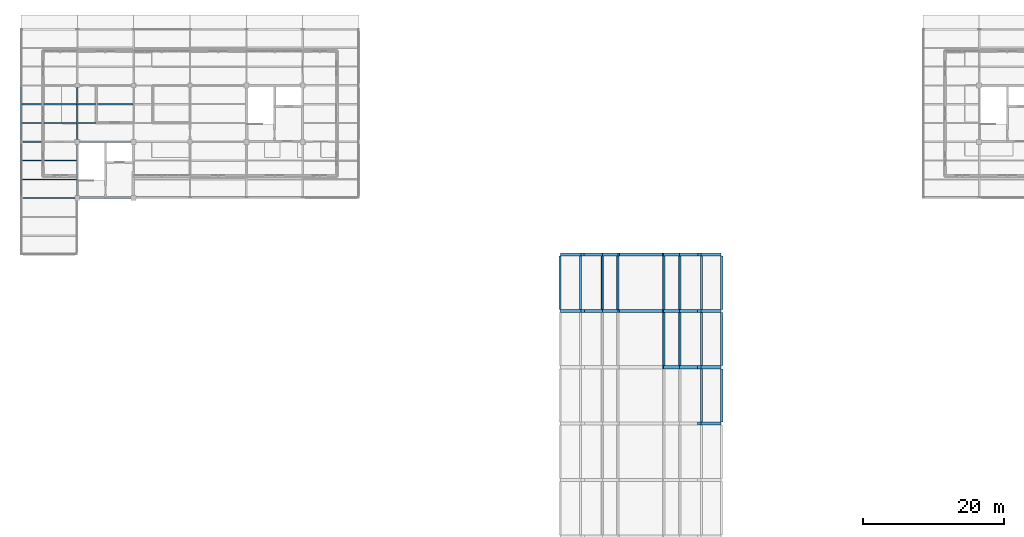
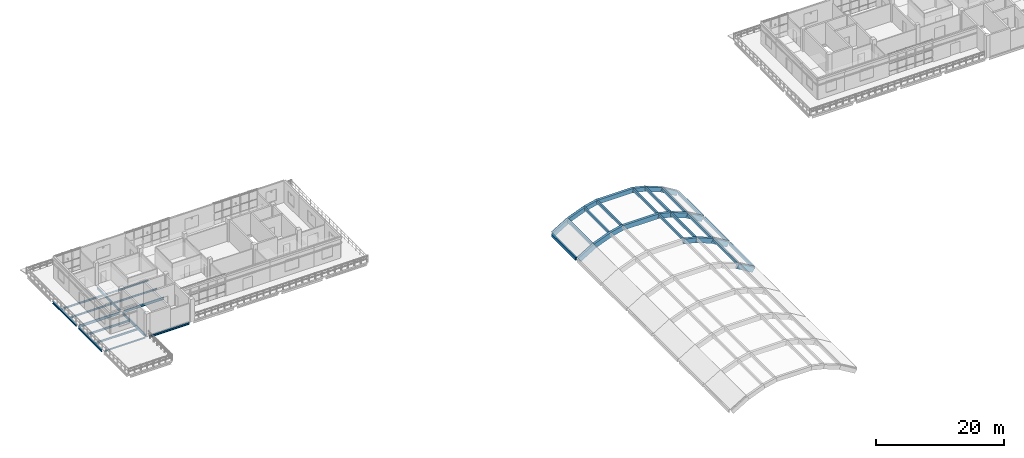
# One storey, part 2 of 24: 46 beams.
"""IFC4 building model written with IfcOpenShell, lengths in metres."""

from ifc_helpers import new_model, si_unit, derived_unit, direction, frame, origin, origin_2d, place, context, subcontext, project, spatial, rectangle, i_section, extrude, material, material_profile, profile_set, type_object, element, save


model = new_model("IFC4")

# Units and contexts
model_context = context("Model", 3, precision=1e-05, world=origin(), true_north=direction((0.0, 1.0)))
body_context = subcontext(model_context, "Body", "Model", "MODEL_VIEW")
ifc_project = project(units=[si_unit("LENGTHUNIT", "METRE"), si_unit("AREAUNIT", "SQUARE_METRE"), si_unit("VOLUMEUNIT", "CUBIC_METRE"), si_unit("PLANEANGLEUNIT", "RADIAN"), si_unit("MASSUNIT", "GRAM", prefix="KILO"), derived_unit("THERMALTRANSMITTANCEUNIT", [(si_unit("MASSUNIT", "GRAM", prefix="KILO"), 1), (si_unit("TIMEUNIT", "SECOND"), -3), (si_unit("THERMODYNAMICTEMPERATUREUNIT", "KELVIN"), -1)])], contexts=[model_context])

# Site, building, storey
site_placement = place(None, origin())
site = spatial("IfcSite", under=ifc_project, at=site_placement, CompositionType="ELEMENT")
building_placement = place(site_placement, origin())
building = spatial("IfcBuilding", under=site, at=building_placement, Name="Veyamyaing Civic Hall", CompositionType="ELEMENT")
storey_placement = place(building_placement, frame((0.0, 0.0, 25.739990234375)))
storey = spatial("IfcBuildingStorey", under=building, at=storey_placement, Name="L06", CompositionType="ELEMENT", Elevation=25.739990234375)

# Beams
ifc_material_1 = material(Name="Steel ASTM A992", Category="steel")
ifc_material_profile_1 = material_profile(ifc_material_1, i_section(OverallWidth=0.19189453125, OverallDepth=0.462890625, WebThickness=0.010498046875, FlangeThickness=0.017578125, FilletRadius=0.010009765625, at=origin_2d()), Name="W460X89")
ifc_profile_set_1 = profile_set([ifc_material_profile_1], Name="Steel ASTM A992")
beam_type_1 = type_object("IfcBeamType", Name="B-08", PredefinedType="BEAM", material=ifc_profile_set_1)
beam_1_placement = place(storey_placement, frame((0.300048828125, 96.0, -0.46142578125), z_axis=(1.0, 0.0, 0.0), x_axis=(0.0, 1.0, 0.0)))
element("IfcBeam", 1, at=beam_1_placement, inside=storey, type_object=beam_type_1, Name="Girder B-08 L06 Grid N 1-2", PredefinedType="BEAM", context=body_context, shape_type="SweptSolid", body=[
    extrude(i_section(OverallWidth=0.19189453125, OverallDepth=0.462890625, WebThickness=0.010498046875, FlangeThickness=0.017578125, FilletRadius=0.010009765625, at=origin_2d()), origin(), (0.0, 0.0, 1.0), 7.349853515625),
])
beam_2_placement = place(storey_placement, frame((8.0, 88.35009765625, -0.46142578125), z_axis=(0.0, 1.0, 0.0), x_axis=(-1.0, 0.0, 0.0)))
element("IfcBeam", 2, at=beam_2_placement, inside=storey, type_object=beam_type_1, Name="Girder B-08 L06 Grid 2 M-N", PredefinedType="BEAM", context=body_context, shape_type="SweptSolid", body=[
    extrude(i_section(OverallWidth=0.19189453125, OverallDepth=0.462890625, WebThickness=0.010498046875, FlangeThickness=0.017578125, FilletRadius=0.010009765625, at=origin_2d()), origin(), (0.0, 0.0, 1.0), 7.2998046875),
])
ifc_material_profile_2 = material_profile(ifc_material_1, i_section(OverallWidth=0.18994140625, OverallDepth=0.45703125, WebThickness=0.009033203125, FlangeThickness=0.014404296875, FilletRadius=0.010009765625, at=origin_2d()), Name="W460X74")
ifc_profile_set_2 = profile_set([ifc_material_profile_2], Name="Steel ASTM A992")
beam_type_2 = type_object("IfcBeamType", Name="B-09", PredefinedType="BEAM", material=ifc_profile_set_2)
beam_3_placement = place(storey_placement, frame((8.35009765625, 96.0, -0.453369140625), z_axis=(1.0, 0.0, 0.0), x_axis=(0.0, 1.0, 0.0)))
element("IfcBeam", 3, at=beam_3_placement, inside=storey, type_object=beam_type_2, Name="Girder B-09 L06 Grid N 2-3", PredefinedType="BEAM", context=body_context, shape_type="SweptSolid", body=[
    extrude(i_section(OverallWidth=0.18994140625, OverallDepth=0.45703125, WebThickness=0.009033203125, FlangeThickness=0.014404296875, FilletRadius=0.010009765625, at=origin_2d()), origin(), (0.0, 0.0, 1.0), 7.2998046875),
])
beam_4_placement = place(storey_placement, frame((8.0, 96.35009765625, -0.453369140625), z_axis=(0.0, 1.0, 0.0), x_axis=(-1.0, 0.0, 0.0)))
element("IfcBeam", 4, at=beam_4_placement, inside=storey, type_object=beam_type_2, Name="Girder B-09 L06 Grid 2 N-P", PredefinedType="BEAM", context=body_context, shape_type="SweptSolid", body=[
    extrude(i_section(OverallWidth=0.18994140625, OverallDepth=0.45703125, WebThickness=0.009033203125, FlangeThickness=0.014404296875, FilletRadius=0.010009765625, at=origin_2d()), origin(), (0.0, 0.0, 1.0), 7.349853515625),
])
ifc_material_profile_3 = material_profile(ifc_material_1, i_section(OverallWidth=0.14599609375, OverallDepth=0.258056640625, WebThickness=0.006103515625, FlangeThickness=0.009033203125, FilletRadius=0.010009765625, at=origin_2d()), Name="W250X33")
ifc_profile_set_3 = profile_set([ifc_material_profile_3], Name="Steel ASTM A992")
beam_type_3 = type_object("IfcBeamType", Name="B-12", PredefinedType="BEAM", material=ifc_profile_set_3)
beam_5_placement = place(storey_placement, frame((0.300048828125, 88.0, -0.35888671875), z_axis=(1.0, 0.0, 0.0), x_axis=(0.0, 1.0, 0.0)))
element("IfcBeam", 5, at=beam_5_placement, inside=storey, type_object=beam_type_3, Name="Girder B-12 L06 Grid M 1-2", PredefinedType="BEAM", context=body_context, shape_type="SweptSolid", body=[
    extrude(i_section(OverallWidth=0.14599609375, OverallDepth=0.258056640625, WebThickness=0.006103515625, FlangeThickness=0.009033203125, FilletRadius=0.010009765625, at=origin_2d()), origin(), (0.0, 0.0, 1.0), 7.349853515625),
])
ifc_material_profile_4 = material_profile(ifc_material_1, i_section(OverallWidth=0.180908203125, OverallDepth=0.4169921875, WebThickness=0.010986328125, FlangeThickness=0.018310546875, FilletRadius=0.010009765625, at=origin_2d()), Name="W410X85")
ifc_profile_set_4 = profile_set([ifc_material_profile_4], Name="Steel ASTM A992")
beam_type_4 = type_object("IfcBeamType", Name="B-19", PredefinedType="SPANDREL", material=ifc_profile_set_4)
beam_6_placement = place(storey_placement, frame((0.0, 88.300048828125, -0.4384765625), z_axis=(0.0, 1.0, 0.0), x_axis=(-1.0, 0.0, 0.0)))
element("IfcBeam", 6, at=beam_6_placement, inside=storey, type_object=beam_type_4, Name="Girder B-19 L06 Grid 1 M-N", PredefinedType="SPANDREL", context=body_context, shape_type="SweptSolid", body=[
    extrude(i_section(OverallWidth=0.180908203125, OverallDepth=0.4169921875, WebThickness=0.010986328125, FlangeThickness=0.018310546875, FilletRadius=0.010009765625, at=origin_2d()), origin(), (0.0, 0.0, 1.0), 7.39990234375),
])
ifc_material_profile_5 = material_profile(ifc_material_1, i_section(OverallWidth=0.25390625, OverallDepth=0.35302734375, WebThickness=0.009521484375, FlangeThickness=0.016357421875, FilletRadius=0.011962890625, at=origin_2d()), Name="W360X91")
ifc_profile_set_5 = profile_set([ifc_material_profile_5], Name="Steel ASTM A992")
beam_type_5 = type_object("IfcBeamType", Name="B-20", PredefinedType="SPANDREL", material=ifc_profile_set_5)
beam_7_placement = place(storey_placement, frame((8.35009765625, 88.0, -0.401611328125), z_axis=(1.0, 0.0, 0.0), x_axis=(0.0, 1.0, 0.0)))
element("IfcBeam", 7, at=beam_7_placement, inside=storey, type_object=beam_type_5, Name="Girder B-20 L06 Grid M 2-3", PredefinedType="SPANDREL", context=body_context, shape_type="SweptSolid", body=[
    extrude(i_section(OverallWidth=0.25390625, OverallDepth=0.35302734375, WebThickness=0.009521484375, FlangeThickness=0.016357421875, FilletRadius=0.011962890625, at=origin_2d()), origin(), (0.0, 0.0, 1.0), 7.2998046875),
])
beam_8_placement = place(storey_placement, frame((0.0, 96.300048828125, -0.406494140625), z_axis=(0.0, 1.0, 0.0), x_axis=(-1.0, 0.0, 0.0)))
element("IfcBeam", 8, at=beam_8_placement, inside=storey, type_object=beam_type_5, Name="Girder B-20 L06 Grid 1 N-P", PredefinedType="SPANDREL", context=body_context, shape_type="SweptSolid", body=[
    extrude(i_section(OverallWidth=0.25390625, OverallDepth=0.35302734375, WebThickness=0.009521484375, FlangeThickness=0.016357421875, FilletRadius=0.011962890625, at=origin_2d()), origin(), (0.0, 0.0, 1.0), 7.39990234375),
])
ifc_material_profile_6 = material_profile(ifc_material_1, i_section(OverallWidth=0.1708984375, OverallDepth=0.35205078125, WebThickness=0.0068359375, FlangeThickness=0.009765625, FilletRadius=0.010009765625, at=origin_2d()), Name="W360X44")
ifc_profile_set_6 = profile_set([ifc_material_profile_6], Name="Steel ASTM A992")
beam_type_6 = type_object("IfcBeamType", Name="J-03", PredefinedType="JOIST", material=ifc_profile_set_6)
for number, where, z_axis, x_axis, name in (
    (9, (0.08837890625, 90.666748046875, -0.406005859375), (1.0, 0.0, 0.0), (0.0, 1.0, 0.0), "Composite floor joist J-03 L06 1.12.1"),
    (10, (0.08837890625, 93.333251953125, -0.406005859375), (1.0, 0.0, 0.0), (0.0, 1.0, 0.0), "Composite floor joist J-03 L06 1.12.2"),
):
    element("IfcBeam", number, at=place(storey_placement, frame(where, z_axis=z_axis, x_axis=x_axis)), inside=storey, type_object=beam_type_6, Name=name, PredefinedType="JOIST", context=body_context, shape_type="SweptSolid", body=[
        extrude(i_section(OverallWidth=0.1708984375, OverallDepth=0.35205078125, WebThickness=0.0068359375, FlangeThickness=0.009765625, FilletRadius=0.010009765625, at=origin_2d()), origin(), (0.0, 0.0, 1.0), 7.817626953125),
    ])
ifc_material_profile_7 = material_profile(ifc_material_1, i_section(OverallWidth=0.1669921875, OverallDepth=0.318115234375, WebThickness=0.007568359375, FlangeThickness=0.01318359375, FilletRadius=0.010009765625, at=origin_2d()), Name="W310X52")
ifc_profile_set_7 = profile_set([ifc_material_profile_7], Name="Steel ASTM A992")
beam_type_7 = type_object("IfcBeamType", Name="J-04", PredefinedType="JOIST", material=ifc_profile_set_7)
for number, where, z_axis, x_axis, name in (
    (11, (0.125, 98.666748046875, -0.388916015625), (1.0, 0.0, 0.0), (0.0, 1.0, 0.0), "Composite floor joist J-04 L06 1.13.1"),
    (12, (0.125, 101.333251953125, -0.388916015625), (1.0, 0.0, 0.0), (0.0, 1.0, 0.0), "Composite floor joist J-04 L06 1.13.2"),
):
    element("IfcBeam", number, at=place(storey_placement, frame(where, z_axis=z_axis, x_axis=x_axis)), inside=storey, type_object=beam_type_7, Name=name, PredefinedType="JOIST", context=body_context, shape_type="SweptSolid", body=[
        extrude(i_section(OverallWidth=0.1669921875, OverallDepth=0.318115234375, WebThickness=0.007568359375, FlangeThickness=0.01318359375, FilletRadius=0.010009765625, at=origin_2d()), origin(), (0.0, 0.0, 1.0), 7.781982421875),
    ])
ifc_material_profile_8 = material_profile(ifc_material_1, i_section(OverallWidth=0.1650390625, OverallDepth=0.31005859375, WebThickness=0.005859375, FlangeThickness=0.009765625, FilletRadius=0.010009765625, at=origin_2d()), Name="W310X39")
ifc_profile_set_8 = profile_set([ifc_material_profile_8], Name="Steel ASTM A992")
beam_type_8 = type_object("IfcBeamType", Name="J-05", PredefinedType="JOIST", material=ifc_profile_set_8)
for number, where, z_axis, x_axis, name in (
    (13, (8.093017578125, 98.666748046875, -0.3798828125), (1.0, 0.0, 0.0), (0.0, 1.0, 0.0), "Composite floor joist J-05 L06 2.13.1"),
    (14, (8.093017578125, 101.333251953125, -0.3798828125), (1.0, 0.0, 0.0), (0.0, 1.0, 0.0), "Composite floor joist J-05 L06 2.13.2"),
):
    element("IfcBeam", number, at=place(storey_placement, frame(where, z_axis=z_axis, x_axis=x_axis)), inside=storey, type_object=beam_type_8, Name=name, PredefinedType="JOIST", context=body_context, shape_type="SweptSolid", body=[
        extrude(i_section(OverallWidth=0.1650390625, OverallDepth=0.31005859375, WebThickness=0.005859375, FlangeThickness=0.009765625, FilletRadius=0.010009765625, at=origin_2d()), origin(), (0.0, 0.0, 1.0), 7.8359375),
    ])
ifc_material_2 = material(Name="Concrete C40/50", Category="concrete")
ifc_material_profile_9 = material_profile(ifc_material_2, rectangle(XDim=0.300048828125, YDim=0.550048828125, at=origin_2d()), Name="RC-COFF-300X550")
ifc_profile_set_9 = profile_set([ifc_material_profile_9], Name="Concrete C40/50")
beam_type_9 = type_object("IfcBeamType", Name="VC-01", PredefinedType="BEAM", material=ifc_profile_set_9)
for number, where, z_axis, x_axis, name in (
    (15, (76.528564453125, 72.22998046875, 0.140380859375), (0.0, 1.0, 0.0), (-1.0, 0.0, 0.0), "Council Chamber Vault Coffer Rib VC-01 S2.B7"),
    (16, (79.42138671875, 72.22998046875, 1.88232421875), (0.0, 1.0, 0.0), (-1.0, 0.0, 0.0), "Council Chamber Vault Coffer Rib VC-01 S3.B7"),
    (17, (96.57861328125, 56.22998046875, 1.88232421875), (0.0, 1.0, 0.0), (-1.0, 0.0, 0.0), "Council Chamber Vault Coffer Rib VC-01 S8.B5"),
    (18, (96.57861328125, 64.22998046875, 1.88232421875), (0.0, 1.0, 0.0), (-1.0, 0.0, 0.0), "Council Chamber Vault Coffer Rib VC-01 S8.B6"),
    (19, (96.57861328125, 72.22998046875, 1.88232421875), (0.0, 1.0, 0.0), (-1.0, 0.0, 0.0), "Council Chamber Vault Coffer Rib VC-01 S8.B7"),
    (20, (99.471435546875, 56.22998046875, 0.140380859375), (0.0, 1.0, 0.0), (-1.0, 0.0, 0.0), "Council Chamber Vault Coffer Rib VC-01 S9.B5"),
    (21, (99.471435546875, 64.22998046875, 0.140380859375), (0.0, 1.0, 0.0), (-1.0, 0.0, 0.0), "Council Chamber Vault Coffer Rib VC-01 S9.B6"),
    (22, (99.471435546875, 72.22998046875, 0.140380859375), (0.0, 1.0, 0.0), (-1.0, 0.0, 0.0), "Council Chamber Vault Coffer Rib VC-01 S9.B7"),
):
    element("IfcBeam", number, at=place(storey_placement, frame(where, z_axis=z_axis, x_axis=x_axis)), inside=storey, type_object=beam_type_9, Name=name, PredefinedType="BEAM", context=body_context, shape_type="SweptSolid", body=[
        extrude(rectangle(XDim=0.300048828125, YDim=0.550048828125, at=origin_2d()), origin(), (0.0, 0.0, 1.0), 7.5400390625),
    ])
ifc_material_profile_10 = material_profile(ifc_material_2, rectangle(XDim=0.280029296875, YDim=0.5, at=origin_2d()), Name="RC-COFF-280X500")
ifc_profile_set_10 = profile_set([ifc_material_profile_10], Name="Concrete C40/50")
beam_type_10 = type_object("IfcBeamType", Name="VC-02", PredefinedType="BEAM", material=ifc_profile_set_10)
for number, where, z_axis, x_axis, name in (
    (23, (82.4873046875, 72.22998046875, 3.106201171875), (0.0, 1.0, 0.0), (-1.0, 0.0, 0.0), "Council Chamber Vault Coffer Rib VC-02 S4.B7"),
    (24, (84.7333984375, 72.22998046875, 3.630126953125), (0.0, 1.0, 0.0), (-1.0, 0.0, 0.0), "Council Chamber Vault Coffer Rib VC-02 S5.B7"),
    (25, (91.2666015625, 64.22998046875, 3.630126953125), (0.0, 1.0, 0.0), (-1.0, 0.0, 0.0), "Council Chamber Vault Coffer Rib VC-02 S6.B6"),
    (26, (91.2666015625, 72.22998046875, 3.630126953125), (0.0, 1.0, 0.0), (-1.0, 0.0, 0.0), "Council Chamber Vault Coffer Rib VC-02 S6.B7"),
    (27, (93.5126953125, 64.22998046875, 3.106201171875), (0.0, 1.0, 0.0), (-1.0, 0.0, 0.0), "Council Chamber Vault Coffer Rib VC-02 S7.B6"),
    (28, (93.5126953125, 72.22998046875, 3.106201171875), (0.0, 1.0, 0.0), (-1.0, 0.0, 0.0), "Council Chamber Vault Coffer Rib VC-02 S7.B7"),
):
    element("IfcBeam", number, at=place(storey_placement, frame(where, z_axis=z_axis, x_axis=x_axis)), inside=storey, type_object=beam_type_10, Name=name, PredefinedType="BEAM", context=body_context, shape_type="SweptSolid", body=[
        extrude(rectangle(XDim=0.280029296875, YDim=0.5, at=origin_2d()), origin(), (0.0, 0.0, 1.0), 7.5400390625),
    ])
ifc_material_profile_11 = material_profile(ifc_material_2, rectangle(XDim=0.449951171875, YDim=0.89990234375, at=origin_2d()), Name="RC-ARCH-450X900")
ifc_profile_set_11 = profile_set([ifc_material_profile_11], Name="Concrete C40/50")
beam_type_11 = type_object("IfcBeamType", Name="VR-01", PredefinedType="BEAM", material=ifc_profile_set_11)
beam_9_placement = place(storey_placement, frame((96.263916015625, 56.0, 1.794921875), z_axis=(0.856643337031, 0.0, -0.515909093852), x_axis=(0.0, 1.0, 0.0)))
element("IfcBeam", 29, at=beam_9_placement, inside=storey, type_object=beam_type_11, Name="Council Chamber Vault Arch Rib VR-01 R5.F9", PredefinedType="BEAM", context=body_context, shape_type="SweptSolid", body=[
    extrude(rectangle(XDim=0.449951171875, YDim=0.89990234375, at=origin_2d()), origin(), (0.0, 0.0, 1.0), 3.376953125),
])
beam_10_placement = place(storey_placement, frame((91.1279296875, 64.0, 3.44580078125), z_axis=(0.973885693077, 0.0, -0.227038888344), x_axis=(0.0, 1.0, 0.0)))
element("IfcBeam", 30, at=beam_10_placement, inside=storey, type_object=beam_type_11, Name="Council Chamber Vault Arch Rib VR-01 R6.F7", PredefinedType="BEAM", context=body_context, shape_type="SweptSolid", body=[
    extrude(rectangle(XDim=0.449951171875, YDim=0.89990234375, at=origin_2d()), origin(), (0.0, 0.0, 1.0), 2.306640625),
])
beam_11_placement = place(storey_placement, frame((93.29052734375, 64.0, 2.947998046875), z_axis=(0.931353244808, 0.0, -0.364116922685), x_axis=(0.0, 1.0, 0.0)))
element("IfcBeam", 31, at=beam_11_placement, inside=storey, type_object=beam_type_11, Name="Council Chamber Vault Arch Rib VR-01 R6.F8", PredefinedType="BEAM", context=body_context, shape_type="SweptSolid", body=[
    extrude(rectangle(XDim=0.449951171875, YDim=0.89990234375, at=origin_2d()), origin(), (0.0, 0.0, 1.0), 3.292236328125),
])
for number, where, z_axis, x_axis, name in (
    (32, (96.263916015625, 64.0, 1.794921875), (0.856643337031, 0.0, -0.515909093852), (0.0, 1.0, 0.0), "Council Chamber Vault Arch Rib VR-01 R6.F9"),
    (33, (76.84326171875, 72.0, 0.052734375), (0.856643337031, 0.0, 0.515909093852), (0.0, 1.0, 0.0), "Council Chamber Vault Arch Rib VR-01 R7.F3"),
):
    element("IfcBeam", number, at=place(storey_placement, frame(where, z_axis=z_axis, x_axis=x_axis)), inside=storey, type_object=beam_type_11, Name=name, PredefinedType="BEAM", context=body_context, shape_type="SweptSolid", body=[
        extrude(rectangle(XDim=0.449951171875, YDim=0.89990234375, at=origin_2d()), origin(), (0.0, 0.0, 1.0), 3.376953125),
    ])
beam_12_placement = place(storey_placement, frame((79.643310546875, 72.0, 1.749267578125), z_axis=(0.931353244808, 0.0, 0.364116922685), x_axis=(0.0, 1.0, 0.0)))
element("IfcBeam", 34, at=beam_12_placement, inside=storey, type_object=beam_type_11, Name="Council Chamber Vault Arch Rib VR-01 R7.F4", PredefinedType="BEAM", context=body_context, shape_type="SweptSolid", body=[
    extrude(rectangle(XDim=0.449951171875, YDim=0.89990234375, at=origin_2d()), origin(), (0.0, 0.0, 1.0), 3.292236328125),
])
beam_13_placement = place(storey_placement, frame((82.625732421875, 72.0, 2.922119140625), z_axis=(0.973885693077, 0.0, 0.227038888344), x_axis=(0.0, 1.0, 0.0)))
element("IfcBeam", 35, at=beam_13_placement, inside=storey, type_object=beam_type_11, Name="Council Chamber Vault Arch Rib VR-01 R7.F5", PredefinedType="BEAM", context=body_context, shape_type="SweptSolid", body=[
    extrude(rectangle(XDim=0.449951171875, YDim=0.89990234375, at=origin_2d()), origin(), (0.0, 0.0, 1.0), 2.306640625),
])
beam_14_placement = place(storey_placement, frame((84.7333984375, 72.0, 3.429931640625), z_axis=(1.0, 0.0, 0.0), x_axis=(0.0, 1.0, 0.0)))
element("IfcBeam", 36, at=beam_14_placement, inside=storey, type_object=beam_type_11, Name="Council Chamber Vault Arch Rib VR-01 R7.F6", PredefinedType="BEAM", context=body_context, shape_type="SweptSolid", body=[
    extrude(rectangle(XDim=0.449951171875, YDim=0.89990234375, at=origin_2d()), origin(), (0.0, 0.0, 1.0), 6.533203125),
])
beam_15_placement = place(storey_placement, frame((91.1279296875, 72.0, 3.44580078125), z_axis=(0.973885693077, 0.0, -0.227038888344), x_axis=(0.0, 1.0, 0.0)))
element("IfcBeam", 37, at=beam_15_placement, inside=storey, type_object=beam_type_11, Name="Council Chamber Vault Arch Rib VR-01 R7.F7", PredefinedType="BEAM", context=body_context, shape_type="SweptSolid", body=[
    extrude(rectangle(XDim=0.449951171875, YDim=0.89990234375, at=origin_2d()), origin(), (0.0, 0.0, 1.0), 2.306640625),
])
beam_16_placement = place(storey_placement, frame((93.29052734375, 72.0, 2.947998046875), z_axis=(0.931353244808, 0.0, -0.364116922685), x_axis=(0.0, 1.0, 0.0)))
element("IfcBeam", 38, at=beam_16_placement, inside=storey, type_object=beam_type_11, Name="Council Chamber Vault Arch Rib VR-01 R7.F8", PredefinedType="BEAM", context=body_context, shape_type="SweptSolid", body=[
    extrude(rectangle(XDim=0.449951171875, YDim=0.89990234375, at=origin_2d()), origin(), (0.0, 0.0, 1.0), 3.292236328125),
])
beam_17_placement = place(storey_placement, frame((96.263916015625, 72.0, 1.794921875), z_axis=(0.856643337031, 0.0, -0.515909093852), x_axis=(0.0, 1.0, 0.0)))
element("IfcBeam", 39, at=beam_17_placement, inside=storey, type_object=beam_type_11, Name="Council Chamber Vault Arch Rib VR-01 R7.F9", PredefinedType="BEAM", context=body_context, shape_type="SweptSolid", body=[
    extrude(rectangle(XDim=0.449951171875, YDim=0.89990234375, at=origin_2d()), origin(), (0.0, 0.0, 1.0), 3.376953125),
])
ifc_material_profile_12 = material_profile(ifc_material_2, rectangle(XDim=0.449951171875, YDim=0.800048828125, at=origin_2d()), Name="RC-ARCH-450X800")
ifc_profile_set_12 = profile_set([ifc_material_profile_12], Name="Concrete C40/50")
beam_type_12 = type_object("IfcBeamType", Name="VR-02", PredefinedType="BEAM", material=ifc_profile_set_12)
beam_18_placement = place(storey_placement, frame((76.8173828125, 80.0, 0.095703125), z_axis=(0.856675288103, 0.0, 0.515856036848), x_axis=(0.0, 1.0, 0.0)))
element("IfcBeam", 40, at=beam_18_placement, inside=storey, type_object=beam_type_12, Name="Council Chamber Vault Arch Rib VR-02 R8.F3", PredefinedType="BEAM", context=body_context, shape_type="SweptSolid", body=[
    extrude(rectangle(XDim=0.449951171875, YDim=0.800048828125, at=origin_2d()), origin(), (0.0, 0.0, 1.0), 3.376708984375),
])
beam_19_placement = place(storey_placement, frame((79.625244140625, 80.0, 1.7958984375), z_axis=(0.931343411807, 0.0, 0.364142072939), x_axis=(0.0, 1.0, 0.0)))
element("IfcBeam", 41, at=beam_19_placement, inside=storey, type_object=beam_type_12, Name="Council Chamber Vault Arch Rib VR-02 R8.F4", PredefinedType="BEAM", context=body_context, shape_type="SweptSolid", body=[
    extrude(rectangle(XDim=0.449951171875, YDim=0.800048828125, at=origin_2d()), origin(), (0.0, 0.0, 1.0), 3.2919921875),
])
beam_20_placement = place(storey_placement, frame((82.614501953125, 80.0, 2.970703125), z_axis=(0.973856823417, 0.0, 0.227162689462), x_axis=(0.0, 1.0, 0.0)))
element("IfcBeam", 42, at=beam_20_placement, inside=storey, type_object=beam_type_12, Name="Council Chamber Vault Arch Rib VR-02 R8.F5", PredefinedType="BEAM", context=body_context, shape_type="SweptSolid", body=[
    extrude(rectangle(XDim=0.449951171875, YDim=0.800048828125, at=origin_2d()), origin(), (0.0, 0.0, 1.0), 2.306396484375),
])
beam_21_placement = place(storey_placement, frame((84.7333984375, 80.0, 3.47998046875), z_axis=(1.0, 0.0, 0.0), x_axis=(0.0, 1.0, 0.0)))
element("IfcBeam", 43, at=beam_21_placement, inside=storey, type_object=beam_type_12, Name="Council Chamber Vault Arch Rib VR-02 R8.F6", PredefinedType="BEAM", context=body_context, shape_type="SweptSolid", body=[
    extrude(rectangle(XDim=0.449951171875, YDim=0.800048828125, at=origin_2d()), origin(), (0.0, 0.0, 1.0), 6.533203125),
])
beam_22_placement = place(storey_placement, frame((91.139404296875, 80.0, 3.49462890625), z_axis=(0.973856823417, 0.0, -0.227162689462), x_axis=(0.0, 1.0, 0.0)))
element("IfcBeam", 44, at=beam_22_placement, inside=storey, type_object=beam_type_12, Name="Council Chamber Vault Arch Rib VR-02 R8.F7", PredefinedType="BEAM", context=body_context, shape_type="SweptSolid", body=[
    extrude(rectangle(XDim=0.449951171875, YDim=0.800048828125, at=origin_2d()), origin(), (0.0, 0.0, 1.0), 2.306396484375),
])
beam_23_placement = place(storey_placement, frame((93.308837890625, 80.0, 2.99462890625), z_axis=(0.931343411807, 0.0, -0.364142072939), x_axis=(0.0, 1.0, 0.0)))
element("IfcBeam", 45, at=beam_23_placement, inside=storey, type_object=beam_type_12, Name="Council Chamber Vault Arch Rib VR-02 R8.F8", PredefinedType="BEAM", context=body_context, shape_type="SweptSolid", body=[
    extrude(rectangle(XDim=0.449951171875, YDim=0.800048828125, at=origin_2d()), origin(), (0.0, 0.0, 1.0), 3.2919921875),
])
beam_24_placement = place(storey_placement, frame((96.289794921875, 80.0, 1.837646484375), z_axis=(0.856675288103, 0.0, -0.515856036848), x_axis=(0.0, 1.0, 0.0)))
element("IfcBeam", 46, at=beam_24_placement, inside=storey, type_object=beam_type_12, Name="Council Chamber Vault Arch Rib VR-02 R8.F9", PredefinedType="BEAM", context=body_context, shape_type="SweptSolid", body=[
    extrude(rectangle(XDim=0.449951171875, YDim=0.800048828125, at=origin_2d()), origin(), (0.0, 0.0, 1.0), 3.376708984375),
])

save(model, "model.ifc")
